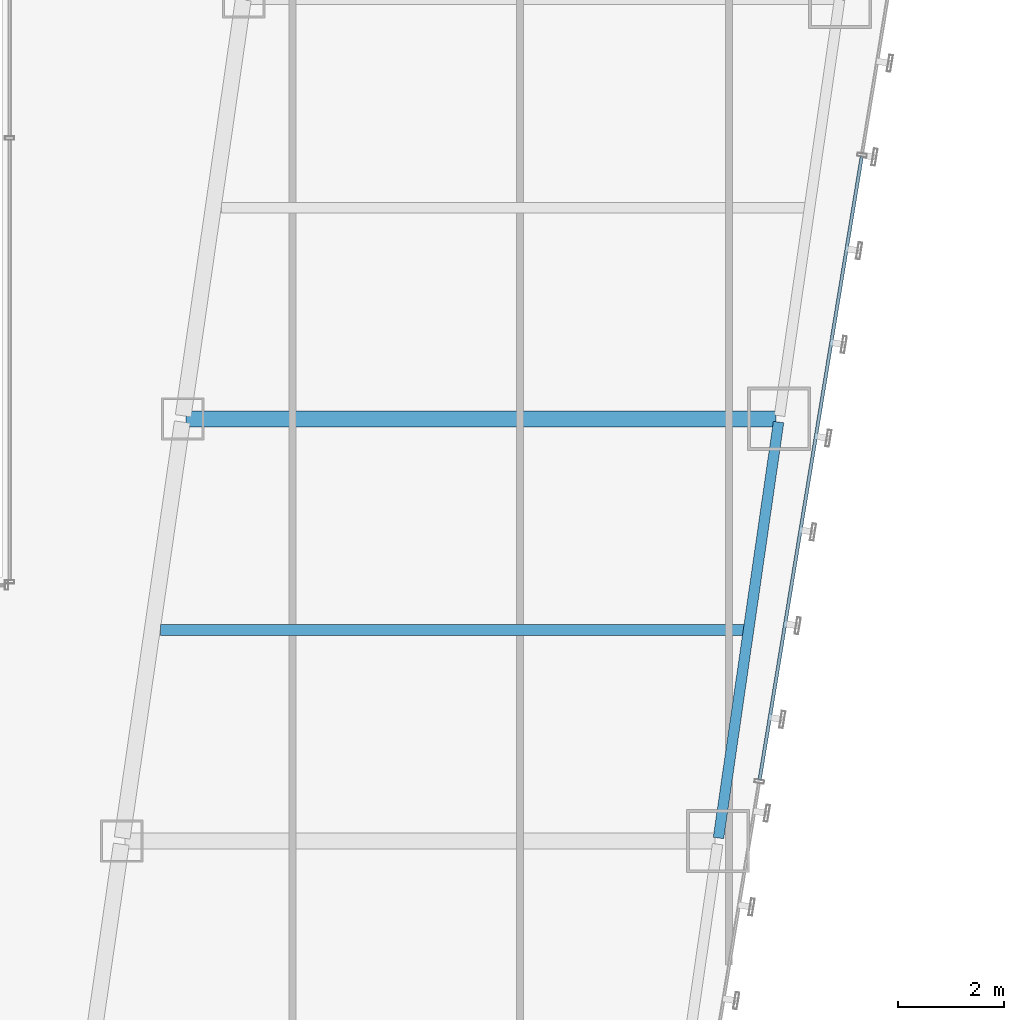
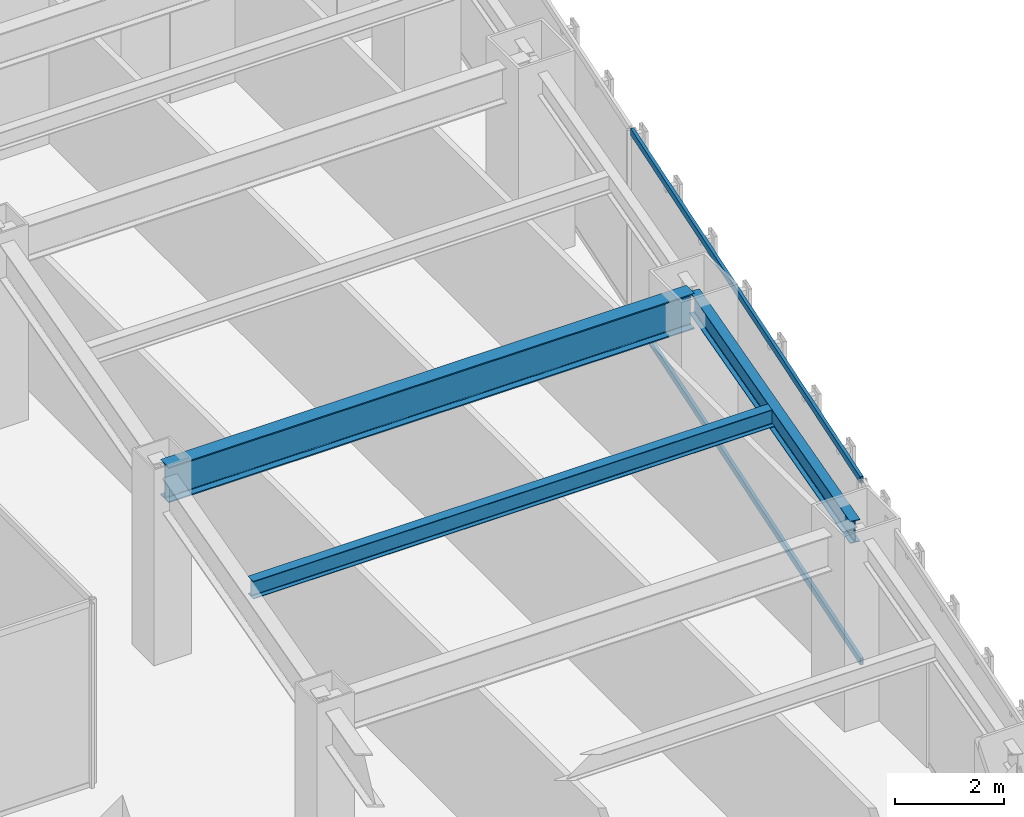
# One storey, part 19 of 47: 3 beams, 2 members, 1 element without a shape of its own.
"""IFC4 building model written with IfcOpenShell, lengths in metres."""

from ifc_helpers import new_model, si_unit, direction, frame, origin, origin_2d, place, context, subcontext, project, spatial, hollow_rectangle, i_section, extrude, material, material_profile, profile_set, type_object, element, aggregate, save


model = new_model("IFC4")

# Units and contexts
model_context = context("Model", 3, precision=1e-05, world=origin(), true_north=direction((0.0, 1.0)))
body_context = subcontext(model_context, "Body", "Model", "MODEL_VIEW")
ifc_project = project(units=[si_unit("LENGTHUNIT", "METRE"), si_unit("AREAUNIT", "SQUARE_METRE"), si_unit("VOLUMEUNIT", "CUBIC_METRE"), si_unit("PLANEANGLEUNIT", "RADIAN"), si_unit("MASSUNIT", "GRAM", prefix="KILO")], contexts=[model_context])

# Site, building, storey
site_placement = place(None, origin())
site = spatial("IfcSite", under=ifc_project, at=site_placement, CompositionType="ELEMENT")
building_placement = place(site_placement, origin())
building = spatial("IfcBuilding", under=site, at=building_placement, Name="Saevonmaru Cultural Tower", CompositionType="ELEMENT")
storey_placement = place(building_placement, frame((0.0, 0.0, 92.800048828125)))
storey = spatial("IfcBuildingStorey", under=building, at=storey_placement, Name="L19", CompositionType="ELEMENT", Elevation=92.800048828125)

# Beams
ifc_material_1 = material(Name="Steel SM420", Category="steel")
ifc_material_profile_1 = material_profile(ifc_material_1, i_section(OverallWidth=0.300048828125, OverallDepth=0.800048828125, WebThickness=0.013916015625, FlangeThickness=0.02587890625, FilletRadius=0.028076171875, at=origin_2d()), Name="H-800x300x14x26")
ifc_profile_set_1 = profile_set([ifc_material_profile_1], Name="Steel SM420")
beam_type_1 = type_object("IfcBeamType", Name="BM-G-H800", PredefinedType="BEAM", material=ifc_profile_set_1)
beam_1_placement = place(storey_placement, frame((39.2880859375, 24.0, 3.75), z_axis=(1.0, 0.0, 0.0), x_axis=(0.0, 1.0, 0.0)))
element("IfcBeam", 1, at=beam_1_placement, inside=storey, type_object=beam_type_1, Name="L19 East Wing Transverse Girder 4", PredefinedType="BEAM", context=body_context, shape_type="SweptSolid", body=[
    extrude(i_section(OverallWidth=0.300048828125, OverallDepth=0.800048828125, WebThickness=0.013916015625, FlangeThickness=0.02587890625, FilletRadius=0.028076171875, at=origin_2d()), origin(), (0.0, 0.0, 1.0), 11.179931640625),
])
ifc_material_2 = material(Name="Steel SM355", Category="steel")
ifc_material_profile_2 = material_profile(ifc_material_2, i_section(OverallWidth=0.199951171875, OverallDepth=0.39990234375, WebThickness=0.008056640625, FlangeThickness=0.012939453125, FilletRadius=0.01611328125, at=origin_2d()), Name="H-400x200x8x13")
ifc_profile_set_2 = profile_set([ifc_material_profile_2], Name="Steel SM355")
beam_type_2 = type_object("IfcBeamType", Name="BM-J-H400", PredefinedType="JOIST", material=ifc_profile_set_2)
beam_2_placement = place(storey_placement, frame((38.80810546875, 20.0, 3.949951171875), z_axis=(1.0, 0.0, 0.0), x_axis=(0.0, 1.0, 0.0)))
element("IfcBeam", 2, at=beam_2_placement, inside=storey, type_object=beam_type_2, Name="L19 East Wing Floor Joist 3", PredefinedType="JOIST", context=body_context, shape_type="SweptSolid", body=[
    extrude(i_section(OverallWidth=0.199951171875, OverallDepth=0.39990234375, WebThickness=0.008056640625, FlangeThickness=0.012939453125, FilletRadius=0.01611328125, at=origin_2d()), origin(), (0.0, 0.0, 1.0), 11.081787109375),
])
ifc_material_profile_3 = material_profile(ifc_material_2, i_section(OverallWidth=0.199951171875, OverallDepth=0.5, WebThickness=0.010009765625, FlangeThickness=0.01611328125, FilletRadius=0.02001953125, at=origin_2d()), Name="H-500x200x10x16")
ifc_profile_set_3 = profile_set([ifc_material_profile_3], Name="Steel SM355")
beam_type_3 = type_object("IfcBeamType", Name="BM-SP-H500", PredefinedType="SPANDREL", material=ifc_profile_set_3)
beam_3_placement = place(storey_placement, frame((49.380615234375, 16.059326171875, 3.89990234375), z_axis=(0.142992129437, 0.989723825579, 0.0), x_axis=(-0.989723825579, 0.142992129437, 0.0)))
element("IfcBeam", 3, at=beam_3_placement, inside=storey, type_object=beam_type_3, Name="L19 East Splayed Spandrel 3", PredefinedType="SPANDREL", context=body_context, shape_type="SweptSolid", body=[
    extrude(i_section(OverallWidth=0.199951171875, OverallDepth=0.5, WebThickness=0.010009765625, FlangeThickness=0.01611328125, FilletRadius=0.02001953125, at=origin_2d()), origin(), (0.0, 0.0, 1.0), 7.963134765625),
])

# Curtain wall, members
ifc_material_3 = material(Name="Satin Bronze Anodised Aluminium", Category="aluminium")
curtain_wall_type = type_object("IfcCurtainWallType", Name="CW-TYP-A", PredefinedType="NOTDEFINED", material=ifc_material_3)
curtain_wall_placement = place(storey_placement, origin())
curtain_wall = element("IfcCurtainWall", 4, at=curtain_wall_placement, inside=storey, type_object=curtain_wall_type, Name="L19 Unitised Curtain Wall E8", PredefinedType="NOTDEFINED")
ifc_material_profile_4 = material_profile(ifc_material_3, hollow_rectangle(XDim=0.06494140625, YDim=0.14990234375, WallThickness=0.00390625, at=origin_2d()), Name="ALU-TRAN-150x65x4")
ifc_profile_set_4 = profile_set([ifc_material_profile_4], Name="Satin Bronze Anodised Aluminium")
member_type = type_object("IfcMemberType", Name="TR-CW-150x65", PredefinedType="USERDEFINED", material=ifc_profile_set_4)
member_1_placement = place(storey_placement, frame((50.16015625, 17.16162109375, 0.032470703125), z_axis=(0.161701400727, 0.986839732177, 0.0), x_axis=(-0.986839732177, 0.161701400727, 0.0)))
member_1 = element("IfcMember", 5, at=member_1_placement, type_object=member_type, Name="CW-TW-L19-E8 transom 2.1", ObjectType="TRANSOM", PredefinedType="USERDEFINED", context=body_context, shape_type="SweptSolid", body=[
    extrude(hollow_rectangle(XDim=0.06494140625, YDim=0.14990234375, WallThickness=0.00390625, at=origin_2d()), origin(), (0.0, 0.0, 1.0), 11.9638671875),
])
member_2_placement = place(storey_placement, frame((50.16015625, 17.16162109375, 4.117431640625), z_axis=(0.161701400727, 0.986839732177, 0.0), x_axis=(-0.986839732177, 0.161701400727, 0.0)))
member_2 = element("IfcMember", 6, at=member_2_placement, type_object=member_type, Name="CW-TW-L19-E8 transom 2.2", ObjectType="TRANSOM", PredefinedType="USERDEFINED", context=body_context, shape_type="SweptSolid", body=[
    extrude(hollow_rectangle(XDim=0.06494140625, YDim=0.14990234375, WallThickness=0.00390625, at=origin_2d()), origin(), (0.0, 0.0, 1.0), 11.9638671875),
])
aggregate(curtain_wall, [member_1, member_2])

save(model, "model.ifc")
